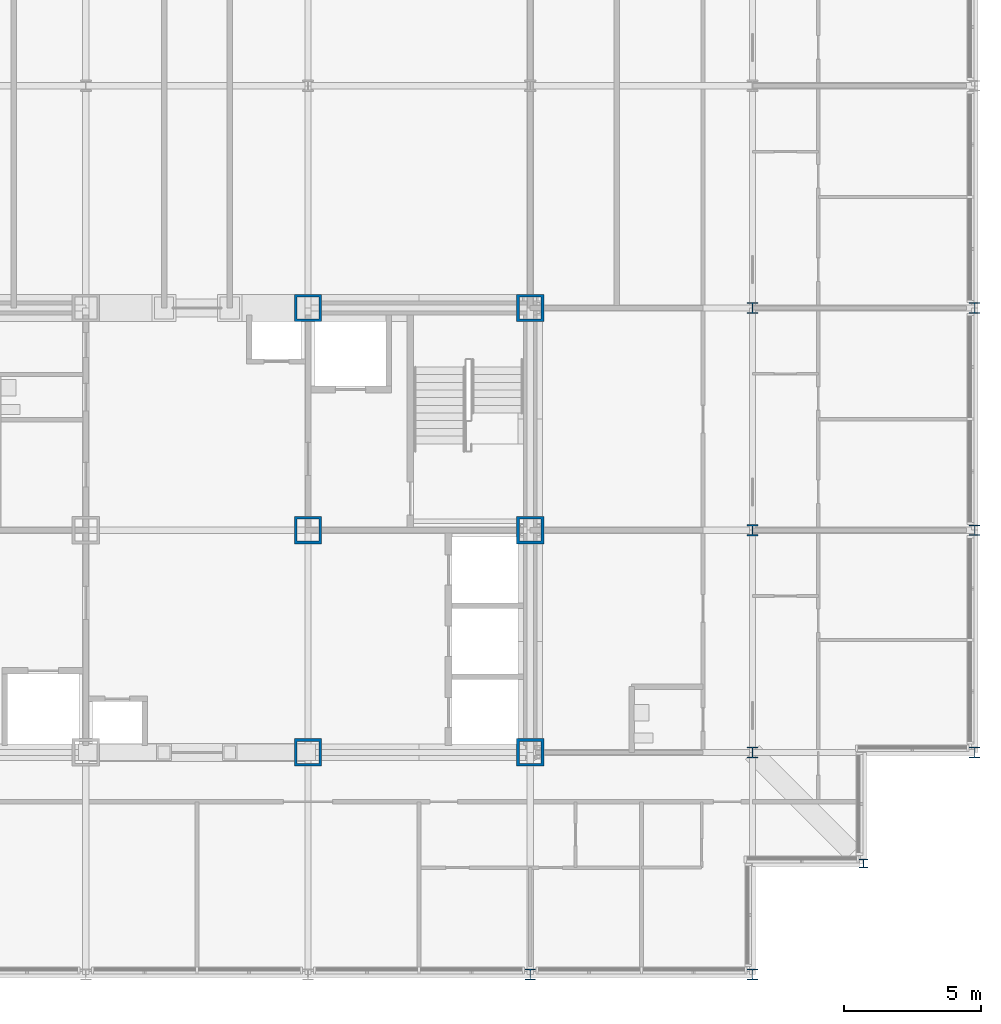
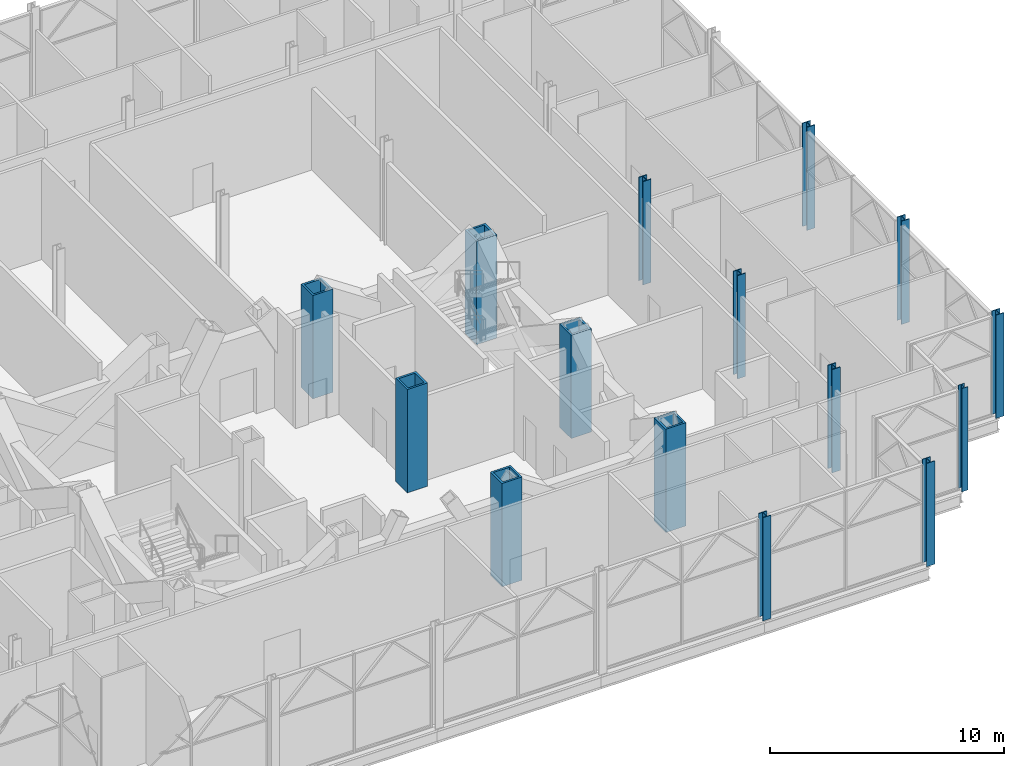
# One storey, part 2 of 26: 15 columns.
"""IFC4 building model written with IfcOpenShell, lengths in metres."""

from ifc_helpers import new_model, si_unit, direction, frame, origin, origin_2d, place, context, subcontext, project, spatial, hollow_rectangle, i_section, extrude, material, material_profile, profile_set, type_object, element, save


model = new_model("IFC4")

# Units and contexts
model_context = context("Model", 3, precision=1e-05, world=origin(), true_north=direction((0.0, 1.0)))
body_context = subcontext(model_context, "Body", "Model", "MODEL_VIEW")
ifc_project = project(units=[si_unit("LENGTHUNIT", "METRE"), si_unit("AREAUNIT", "SQUARE_METRE"), si_unit("VOLUMEUNIT", "CUBIC_METRE"), si_unit("PLANEANGLEUNIT", "RADIAN"), si_unit("MASSUNIT", "GRAM", prefix="KILO")], contexts=[model_context])

# Site, building, storey
site_placement = place(None, origin())
site = spatial("IfcSite", under=ifc_project, at=site_placement, CompositionType="ELEMENT")
building_placement = place(site_placement, origin())
building = spatial("IfcBuilding", under=site, at=building_placement, Name="Kopane Lantern Tower", CompositionType="ELEMENT")
storey_placement = place(building_placement, frame((0.0, 0.0, 293.10009765625)))
storey = spatial("IfcBuildingStorey", under=building, at=storey_placement, Name="L75", CompositionType="ELEMENT", Elevation=293.10009765625)

# Columns
ifc_material_1 = material(Name="Steel S355JR", Category="steel")
ifc_material_profile_1 = material_profile(ifc_material_1, hollow_rectangle(XDim=1.0, YDim=1.0, WallThickness=0.10009765625, at=origin_2d()), Name="BOX 1000x1000x100")
ifc_profile_set_1 = profile_set([ifc_material_profile_1], Name="Steel S355JR")
column_type_1 = type_object("IfcColumnType", Name="COLUMN BOX 1000x1000x100", PredefinedType="COLUMN", material=ifc_profile_set_1)
for number, where, z_axis, x_axis, name in (
    (1, (32.39990234375, 24.300048828125, 0.0), (0.0, 0.0, 1.0), (1.0, 0.0, 0.0), "Column 6/E L75"),
    (2, (32.39990234375, 32.39990234375, 0.0), (0.0, 0.0, 1.0), (1.0, 0.0, 0.0), "Column 6/F L75"),
    (3, (32.39990234375, 40.5, 0.0), (0.0, 0.0, 1.0), (1.0, 0.0, 0.0), "Column 6/G L75"),
    (4, (40.5, 24.300048828125, 0.0), (0.0, 0.0, 1.0), (1.0, 0.0, 0.0), "Column 7/E L75"),
    (5, (40.5, 32.39990234375, 0.0), (0.0, 0.0, 1.0), (1.0, 0.0, 0.0), "Column 7/F L75"),
    (6, (40.5, 40.5, 0.0), (0.0, 0.0, 1.0), (1.0, 0.0, 0.0), "Column 7/G L75"),
):
    element("IfcColumn", number, at=place(storey_placement, frame(where, z_axis=z_axis, x_axis=x_axis)), inside=storey, type_object=column_type_1, Name=name, PredefinedType="COLUMN", context=body_context, shape_type="SweptSolid", body=[
        extrude(hollow_rectangle(XDim=1.0, YDim=1.0, WallThickness=0.10009765625, at=origin_2d()), origin(), (0.0, 0.0, 1.0), 5.39990234375),
    ])
ifc_material_2 = material(Name="Steel S355JR", Category="steel")
ifc_material_profile_2 = material_profile(ifc_material_2, i_section(OverallWidth=0.307373046875, OverallDepth=0.314453125, WebThickness=0.011962890625, FlangeThickness=0.018798828125, FilletRadius=0.01513671875, at=origin_2d()), Name="UC 305x305x118")
ifc_profile_set_2 = profile_set([ifc_material_profile_2], Name="Steel S355JR")
column_type_2 = type_object("IfcColumnType", Name="COLUMN UC 305x305x118", PredefinedType="COLUMN", material=ifc_profile_set_2)
column_placement = place(storey_placement, frame((52.64990234375, 20.25, 0.0), z_axis=(0.0, 0.0, 1.0), x_axis=(1.0, 0.0, 0.0)))
element("IfcColumn", 7, at=column_placement, inside=storey, type_object=column_type_2, Name="Column 52.65/20.25 L75", PredefinedType="COLUMN", context=body_context, shape_type="SweptSolid", body=[
    extrude(i_section(OverallWidth=0.307373046875, OverallDepth=0.314453125, WebThickness=0.011962890625, FlangeThickness=0.018798828125, FilletRadius=0.01513671875, at=origin_2d()), origin(), (0.0, 0.0, 1.0), 5.39990234375),
])
ifc_material_3 = material(Name="Steel S355JR", Category="steel")
ifc_material_profile_3 = material_profile(ifc_material_3, i_section(OverallWidth=0.39892578125, OverallDepth=0.3935546875, WebThickness=0.022705078125, FlangeThickness=0.03662109375, FilletRadius=0.01513671875, at=origin_2d()), Name="UC 356x406x287")
ifc_profile_set_3 = profile_set([ifc_material_profile_3], Name="Steel S355JR")
column_type_3 = type_object("IfcColumnType", Name="COLUMN UC 356x406x287", PredefinedType="COLUMN", material=ifc_profile_set_3)
for number, where, z_axis, x_axis, name in (
    (8, (40.5, 16.199951171875, 0.0), (0.0, 0.0, 1.0), (1.0, 0.0, 0.0), "Column 7/D L75"),
    (9, (48.60009765625, 16.199951171875, 0.0), (0.0, 0.0, 1.0), (1.0, 0.0, 0.0), "Column 8/D L75"),
    (10, (56.699951171875, 24.300048828125, 0.0), (0.0, 0.0, 1.0), (1.0, 0.0, 0.0), "Column 9/E L75"),
    (11, (56.699951171875, 32.39990234375, 0.0), (0.0, 0.0, 1.0), (1.0, 0.0, 0.0), "Column 9/F L75"),
    (12, (56.699951171875, 40.5, 0.0), (0.0, 0.0, 1.0), (1.0, 0.0, 0.0), "Column 9/G L75"),
):
    element("IfcColumn", number, at=place(storey_placement, frame(where, z_axis=z_axis, x_axis=x_axis)), inside=storey, type_object=column_type_3, Name=name, PredefinedType="COLUMN", context=body_context, shape_type="SweptSolid", body=[
        extrude(i_section(OverallWidth=0.39892578125, OverallDepth=0.3935546875, WebThickness=0.022705078125, FlangeThickness=0.03662109375, FilletRadius=0.01513671875, at=origin_2d()), origin(), (0.0, 0.0, 1.0), 5.39990234375),
    ])
ifc_material_4 = material(Name="Steel S355JR", Category="steel")
ifc_material_profile_4 = material_profile(ifc_material_4, i_section(OverallWidth=0.403076171875, OverallDepth=0.406494140625, WebThickness=0.026611328125, FlangeThickness=0.04296875, FilletRadius=0.01513671875, at=origin_2d()), Name="UC 356x406x340")
ifc_profile_set_4 = profile_set([ifc_material_profile_4], Name="Steel S355JR")
column_type_4 = type_object("IfcColumnType", Name="COLUMN UC 356x406x340", PredefinedType="COLUMN", material=ifc_profile_set_4)
for number, where, z_axis, x_axis, name in (
    (13, (48.60009765625, 24.300048828125, 0.0), (0.0, 0.0, 1.0), (1.0, 0.0, 0.0), "Column 8/E L75"),
    (14, (48.60009765625, 32.39990234375, 0.0), (0.0, 0.0, 1.0), (1.0, 0.0, 0.0), "Column 8/F L75"),
    (15, (48.60009765625, 40.5, 0.0), (0.0, 0.0, 1.0), (1.0, 0.0, 0.0), "Column 8/G L75"),
):
    element("IfcColumn", number, at=place(storey_placement, frame(where, z_axis=z_axis, x_axis=x_axis)), inside=storey, type_object=column_type_4, Name=name, PredefinedType="COLUMN", context=body_context, shape_type="SweptSolid", body=[
        extrude(i_section(OverallWidth=0.403076171875, OverallDepth=0.406494140625, WebThickness=0.026611328125, FlangeThickness=0.04296875, FilletRadius=0.01513671875, at=origin_2d()), origin(), (0.0, 0.0, 1.0), 5.39990234375),
    ])

save(model, "model.ifc")
